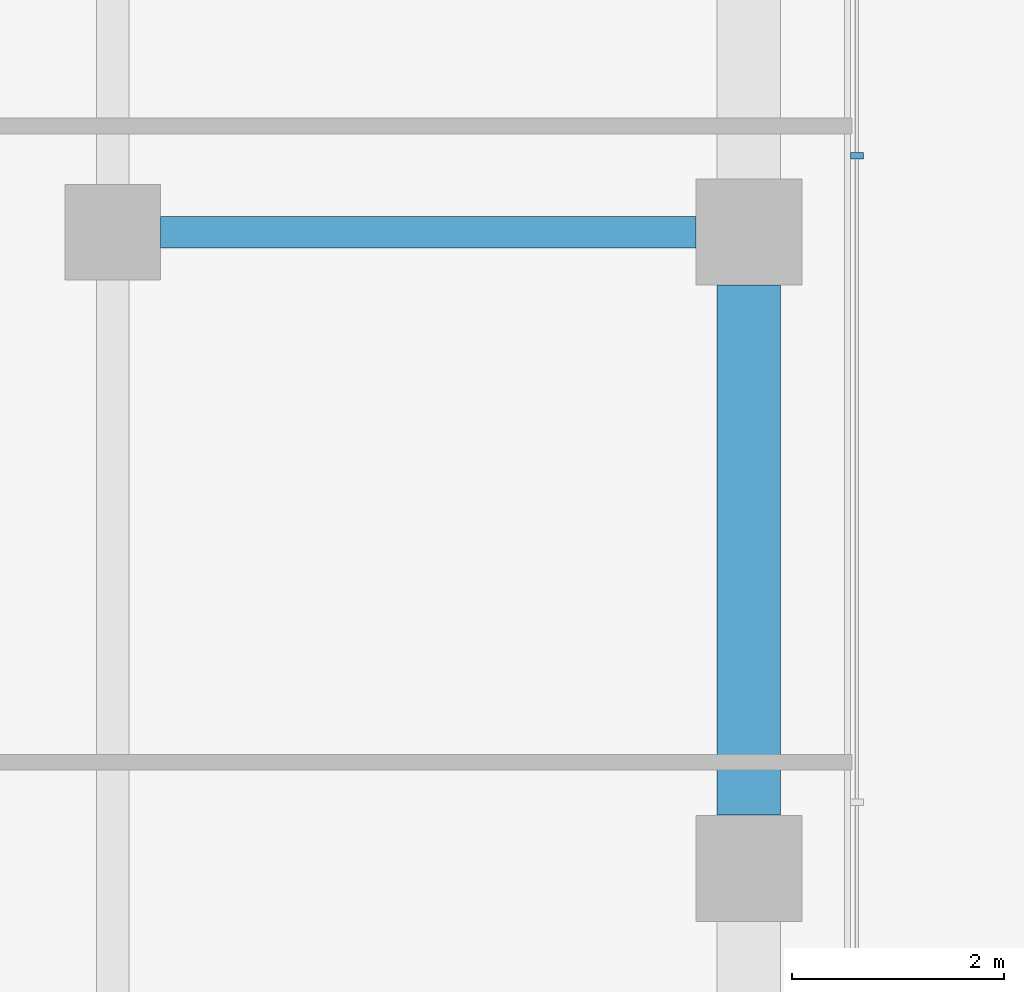
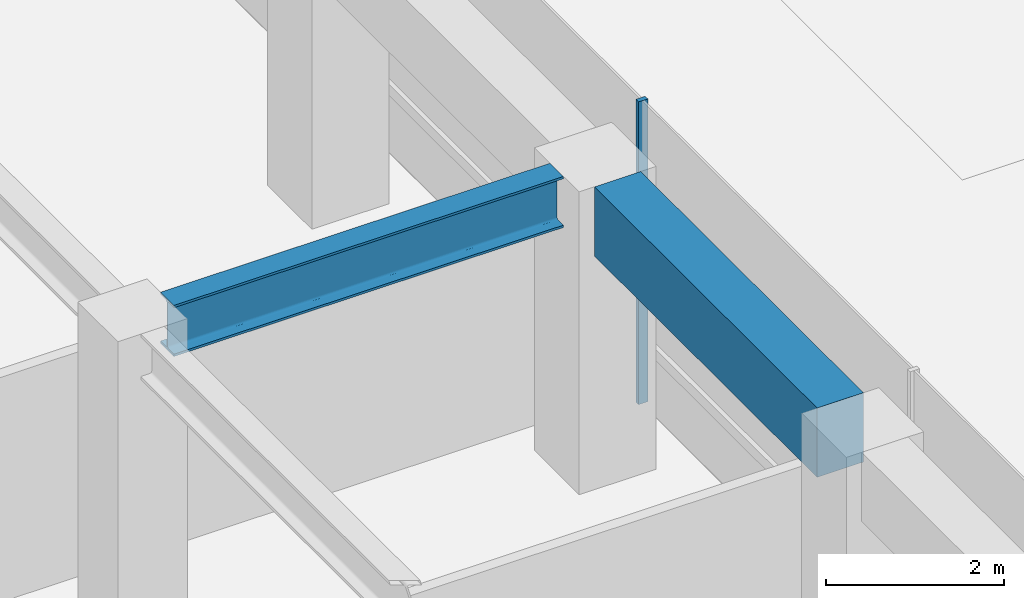
# One storey, part 16 of 31: 2 beams, 1 member, 1 element without a shape of its own.
"""IFC4 building model written with IfcOpenShell, lengths in metres."""

import ifcopenshell
import ifcopenshell.guid

model = None  # the IFC model being written
_history = None  # IfcOwnerHistory: only IFC2X3 demands one
_inside = {}  # id of a spatial element -> (the spatial element, [elements in it])
_under = {}  # id of a project, library or spatial element -> (it, [spatial elements below it])
_declared = {}  # id of a project -> (the project, [libraries it declares])
_typed = {}  # id of a type object -> (the type object, [elements of that type])
_made_of = {}  # id of a material, layer set ... -> (it, [elements and type objects made of it])


def new_model(schema):
    """Start an empty IFC model of exactly this schema.

    Asked for "IFC4X3", IfcOpenShell would pick the latest addendum, in which some entities
    have other attributes; the version numbers below select the first issue.
    IFC2X3 requires an IfcOwnerHistory on every rooted entity: one is made here for all.
    """
    global model, _history
    if schema == "IFC4X3":
        model = ifcopenshell.file(schema_version=(4, 3, 0, 0))
    else:
        model = ifcopenshell.file(schema=schema)
    _inside.clear()
    _under.clear()
    _declared.clear()
    _typed.clear()
    _made_of.clear()
    _history = None
    if model.schema == "IFC2X3":
        org = make("IfcOrganization", Name="unknown")
        user = make(
            "IfcPersonAndOrganization",
            ThePerson=make("IfcPerson", FamilyName="unknown"),
            TheOrganization=org,
        )
        app = make(
            "IfcApplication",
            ApplicationDeveloper=org,
            Version="unknown",
            ApplicationFullName="unknown",
            ApplicationIdentifier="unknown",
        )
        _history = make(
            "IfcOwnerHistory",
            OwningUser=user,
            OwningApplication=app,
            ChangeAction="ADDED",
            CreationDate=0,
        )
    return model


def make(cls, **values):
    """One entity of the class cls with the attributes given. An attribute that is None is left unset."""
    return model.create_entity(
        cls, **{name: value for name, value in values.items() if value is not None}
    )


def rooted(cls, **values):
    """An entity with a GlobalId (a new one), such as an element, a storey or a relation."""
    return make(cls, GlobalId=ifcopenshell.guid.new(), OwnerHistory=_history, **values)


def si_unit(unit_type, name, prefix=None):
    """IfcSIUnit, for example si_unit("LENGTHUNIT", "METRE", prefix="MILLI")."""
    return make("IfcSIUnit", UnitType=unit_type, Prefix=prefix, Name=name)


def assignment(units):
    """IfcUnitAssignment: the units of a project."""
    return None if units is None else make("IfcUnitAssignment", Units=units)


def point(xyz):
    """IfcCartesianPoint."""
    return None if xyz is None else make("IfcCartesianPoint", Coordinates=xyz)


def direction(xyz):
    """IfcDirection."""
    return None if xyz is None else make("IfcDirection", DirectionRatios=xyz)


def frame(location, z_axis=None, x_axis=None):
    """IfcAxis2Placement3D, a coordinate frame: its origin and axes. An axis left out is left unset."""
    return make(
        "IfcAxis2Placement3D",
        Location=point(location),
        Axis=direction(z_axis),
        RefDirection=direction(x_axis),
    )


def frame_2d(location, x_axis=None):
    """IfcAxis2Placement2D, a coordinate frame in the plane: its origin and x axis."""
    return make(
        "IfcAxis2Placement2D", Location=point(location), RefDirection=direction(x_axis)
    )


def origin():
    """The frame at (0, 0, 0) with its axes left unset."""
    return frame((0.0, 0.0, 0.0))


def origin_2d():
    """The frame at (0, 0) in the plane with its x axis left unset."""
    return frame_2d((0.0, 0.0))


def place(relative_to, where):
    """IfcLocalPlacement: puts the frame where relative to a parent placement (None: the world)."""
    return make(
        "IfcLocalPlacement", PlacementRelTo=relative_to, RelativePlacement=where
    )


def context(
    kind, dimensions, precision=None, world=None, true_north=None, identifier=None
):
    """IfcGeometricRepresentationContext, for example the 3D "Model" context."""
    return make(
        "IfcGeometricRepresentationContext",
        ContextIdentifier=identifier,
        ContextType=kind,
        CoordinateSpaceDimension=dimensions,
        Precision=precision,
        WorldCoordinateSystem=world,
        TrueNorth=true_north,
    )


def subcontext(parent, identifier, kind, view, scale=None):
    """IfcGeometricRepresentationSubContext, for example "Body" below "Model"."""
    return make(
        "IfcGeometricRepresentationSubContext",
        ContextIdentifier=identifier,
        ContextType=kind,
        ParentContext=parent,
        TargetScale=scale,
        TargetView=view,
    )


def project(units=None, contexts=None):
    """IfcProject with its units and contexts."""
    return rooted(
        "IfcProject",
        Name="project",
        RepresentationContexts=contexts,
        UnitsInContext=assignment(units),
    )


def spatial(cls, under=None, at=None, **own):
    """A site, building, storey or space (cls), placed at a placement, below another one or the project."""
    s = rooted(cls, ObjectPlacement=at, **own)
    if under is not None:
        _under.setdefault(under.id(), (under, []))[1].append(s)
    return s


def profile(cls, at=None, kind="AREA", **sizes):
    """A parametric profile (cls). Its sizes go by their IFC names, for example OverallWidth=200.0."""
    return make(cls, ProfileType=kind, Position=at, **sizes)


def rectangle(**sizes):
    """IfcRectangleProfileDef."""
    return profile("IfcRectangleProfileDef", **sizes)


def i_section(**sizes):
    """IfcIShapeProfileDef."""
    return profile("IfcIShapeProfileDef", **sizes)


def extrude(swept, where, along, depth):
    """IfcExtrudedAreaSolid: the profile swept, set in the frame where, extruded along a direction by depth."""
    return make(
        "IfcExtrudedAreaSolid",
        SweptArea=swept,
        Position=where,
        ExtrudedDirection=direction(along),
        Depth=depth,
    )


def shape(context_of_items, identifier, shape_type, items):
    """IfcShapeRepresentation: the items that make up one representation, for example the "Body"."""
    return make(
        "IfcShapeRepresentation",
        ContextOfItems=context_of_items,
        RepresentationIdentifier=identifier,
        RepresentationType=shape_type,
        Items=items,
    )


def material(Name=None, Category=None):
    """IfcMaterial."""
    return make("IfcMaterial", Name=Name, Category=Category)


def layer(
    of_material, thickness, ventilated=None, Name=None, Category=None, Priority=None
):
    """IfcMaterialLayer: one layer of a wall or slab, of a material (None: an air gap)."""
    return make(
        "IfcMaterialLayer",
        Material=of_material,
        LayerThickness=thickness,
        IsVentilated=ventilated,
        Name=Name,
        Category=Category,
        Priority=Priority,
    )


def layer_set(layers, Name=None):
    """IfcMaterialLayerSet."""
    return make("IfcMaterialLayerSet", MaterialLayers=layers, LayerSetName=Name)


def material_profile(
    of_material, cross_section, Name=None, Category=None, Priority=None
):
    """IfcMaterialProfile: a cross section and its material."""
    return make(
        "IfcMaterialProfile",
        Name=Name,
        Material=of_material,
        Profile=cross_section,
        Priority=Priority,
        Category=Category,
    )


def profile_set(profiles, Name=None, composite=None):
    """IfcMaterialProfileSet."""
    return make(
        "IfcMaterialProfileSet",
        Name=Name,
        MaterialProfiles=profiles,
        CompositeProfile=composite,
    )


def made_of(thing, what):
    """Note that an element or type object is made of a material, layer set ...; save() writes the relation."""
    if what is not None:
        _made_of.setdefault(what.id(), (what, []))[1].append(thing)
    return thing


def type_object(cls, material=None, **own):
    """A type object (cls), such as IfcWallType, which elements share."""
    return made_of(rooted(cls, **own), material)


def element(
    cls,
    number,
    at=None,
    inside=None,
    cuts=None,
    type_object=None,
    material=None,
    context=None,
    identifier="Body",
    shape_type=None,
    held_by="IfcProductDefinitionShape",
    body=None,
    shapes=None,
    **own,
):
    """One element of the class cls, such as IfcWall. Its Tag is "e" and its number.

    at: its placement. inside: the storey or other place that contains it. cuts: it is an
    opening in that element (IfcRelVoidsElement). A single representation is given by context,
    identifier, shape_type and body (its items); several are given by shapes. held_by: the class
    of the entity that holds the representations. save() writes the other relations.
    """
    e = rooted(cls, Tag="e%d" % number, ObjectPlacement=at, **own)
    if body is not None:
        shapes = [shape(context, identifier, shape_type, body)]
    if shapes is not None:
        e.Representation = make(held_by, Representations=shapes)
    if inside is not None:
        _inside.setdefault(inside.id(), (inside, []))[1].append(e)
    if cuts is not None:
        rooted(
            "IfcRelVoidsElement", RelatingBuildingElement=cuts, RelatedOpeningElement=e
        )
    if type_object is not None:
        _typed.setdefault(type_object.id(), (type_object, []))[1].append(e)
    return made_of(e, material)


def aggregate(whole, parts):
    """IfcRelAggregates: a whole, such as a stair, and the parts it consists of."""
    return rooted("IfcRelAggregates", RelatingObject=whole, RelatedObjects=parts)


def save(model, path):
    """Write the relations noted so far, then the file.

    IfcRelAggregates (storeys below a building ...), IfcRelContainedInSpatialStructure (elements
    in a storey), IfcRelDefinesByType, IfcRelAssociatesMaterial and IfcRelDeclares: one each for
    every whole, place, type object, material and project.
    """
    for whole, parts in _under.values():
        aggregate(whole, parts)
    for where, things in _inside.values():
        rooted(
            "IfcRelContainedInSpatialStructure",
            RelatedElements=things,
            RelatingStructure=where,
        )
    for kind, things in _typed.values():
        rooted("IfcRelDefinesByType", RelatedObjects=things, RelatingType=kind)
    for what, things in _made_of.values():
        rooted("IfcRelAssociatesMaterial", RelatedObjects=things, RelatingMaterial=what)
    for by, libraries in _declared.values():
        rooted("IfcRelDeclares", RelatingContext=by, RelatedDefinitions=libraries)
    model.write(path)


model = new_model("IFC4")

# Units and contexts
model_context = context("Model", 3, precision=1e-05, world=origin(), true_north=direction((0.0, 1.0)))
body_context = subcontext(model_context, "Body", "Model", "MODEL_VIEW")
ifc_project = project(units=[si_unit("LENGTHUNIT", "METRE"), si_unit("AREAUNIT", "SQUARE_METRE"), si_unit("VOLUMEUNIT", "CUBIC_METRE"), si_unit("PLANEANGLEUNIT", "RADIAN"), si_unit("MASSUNIT", "GRAM", prefix="KILO")], contexts=[model_context])

# Site, building, storey
site_placement = place(None, origin())
site = spatial("IfcSite", under=ifc_project, at=site_placement, CompositionType="ELEMENT")
building_placement = place(site_placement, origin())
building = spatial("IfcBuilding", under=site, at=building_placement, Name="Welwitschia Terrace Campus", CompositionType="ELEMENT")
storey_placement = place(building_placement, frame((0.0, 0.0, 11.0)))
storey = spatial("IfcBuildingStorey", under=building, at=storey_placement, Name="L02", CompositionType="ELEMENT", Elevation=11.0)

# Curtain wall, member
ifc_material_1 = material(Name="Bronze anodised aluminium", Category="aluminium")
ifc_layer = layer(ifc_material_1, 0.1201171875)
ifc_layer_set = layer_set([ifc_layer], Name="Bronze anodised aluminium")
curtain_wall_type = type_object("IfcCurtainWallType", Name="Curtain wall CW2 tower 6000", PredefinedType="NOTDEFINED", material=ifc_layer_set)
curtain_wall_placement = place(storey_placement, origin())
curtain_wall = element("IfcCurtainWall", 1, at=curtain_wall_placement, inside=storey, type_object=curtain_wall_type, Name="CW L02.7.0", PredefinedType="NOTDEFINED")
ifc_material_2 = material(Name="Bronze anodised aluminium", Category="aluminium")
ifc_material_profile_1 = material_profile(ifc_material_2, rectangle(XDim=0.1201171875, YDim=0.06005859375, at=origin_2d()))
ifc_profile_set_1 = profile_set([ifc_material_profile_1], Name="Bronze anodised aluminium")
member_type = type_object("IfcMemberType", Name="Mullion 60x120", PredefinedType="MULLION", material=ifc_profile_set_1)
member_placement = place(storey_placement, frame((25.02001953125, 44.72119140625, 0.0), z_axis=(0.0, 0.0, 1.0), x_axis=(-1.0, 0.0, 0.0)))
member = element("IfcMember", 2, at=member_placement, type_object=member_type, Name="Mullion L02.7.0.3", PredefinedType="MULLION", context=body_context, shape_type="SweptSolid", body=[
    extrude(rectangle(XDim=0.1201171875, YDim=0.06005859375, at=origin_2d()), origin(), (0.0, 0.0, 1.0), 4.14990234375),
])
aggregate(curtain_wall, [member])

# Beams
ifc_material_3 = material(Name="Steel S355", Category="steel")
ifc_material_profile_2 = material_profile(ifc_material_3, i_section(OverallWidth=0.300048828125, OverallDepth=0.699951171875, WebThickness=0.01708984375, FlangeThickness=0.031982421875, FilletRadius=0.027099609375, at=origin_2d()))
ifc_profile_set_2 = profile_set([ifc_material_profile_2], Name="Steel S355")
beam_type_1 = type_object("IfcBeamType", Name="Primary beam HE 700 B", PredefinedType="BEAM", material=ifc_profile_set_2)
beam_1_placement = place(storey_placement, frame((23.49951171875, 44.0, 3.800048828125), z_axis=(-1.0, 0.0, 0.0), x_axis=(0.0, -1.0, 0.0)))
element("IfcBeam", 3, at=beam_1_placement, inside=storey, type_object=beam_type_1, Name="Primary beam PB1", PredefinedType="BEAM", context=body_context, shape_type="SweptSolid", body=[
    extrude(i_section(OverallWidth=0.300048828125, OverallDepth=0.699951171875, WebThickness=0.01708984375, FlangeThickness=0.031982421875, FilletRadius=0.027099609375, at=origin_2d()), origin(), (0.0, 0.0, 1.0), 5.049072265625),
])
ifc_material_4 = material(Name="Concrete C60/75", Category="concrete")
ifc_material_profile_3 = material_profile(ifc_material_4, rectangle(XDim=0.60009765625, YDim=0.949951171875, at=origin_2d()))
ifc_profile_set_3 = profile_set([ifc_material_profile_3], Name="Concrete C60/75")
beam_type_2 = type_object("IfcBeamType", Name="Ring spandrel 600x950", PredefinedType="SPANDREL", material=ifc_profile_set_3)
beam_2_placement = place(storey_placement, frame((24.0, 38.50048828125, 3.675048828125), z_axis=(0.0, 1.0, 0.0), x_axis=(-1.0, 0.0, 0.0)))
element("IfcBeam", 4, at=beam_2_placement, inside=storey, type_object=beam_type_2, Name="Spandrel SP1", PredefinedType="SPANDREL", context=body_context, shape_type="SweptSolid", body=[
    extrude(rectangle(XDim=0.60009765625, YDim=0.949951171875, at=origin_2d()), origin(), (0.0, 0.0, 1.0), 4.9990234375),
])

save(model, "model.ifc")
